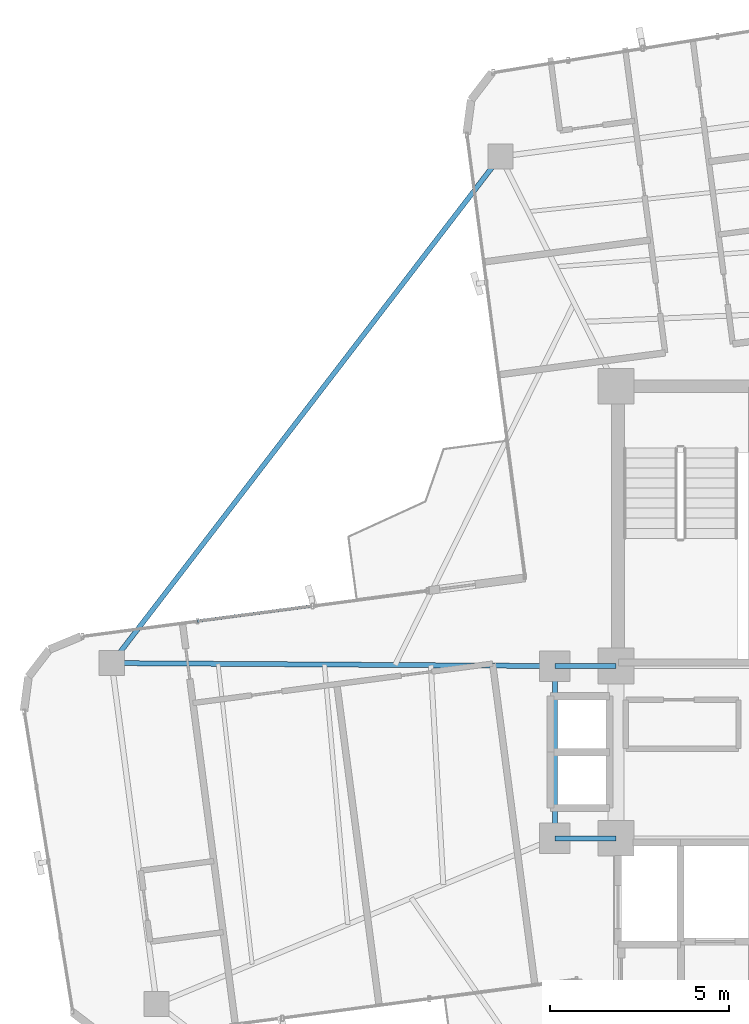
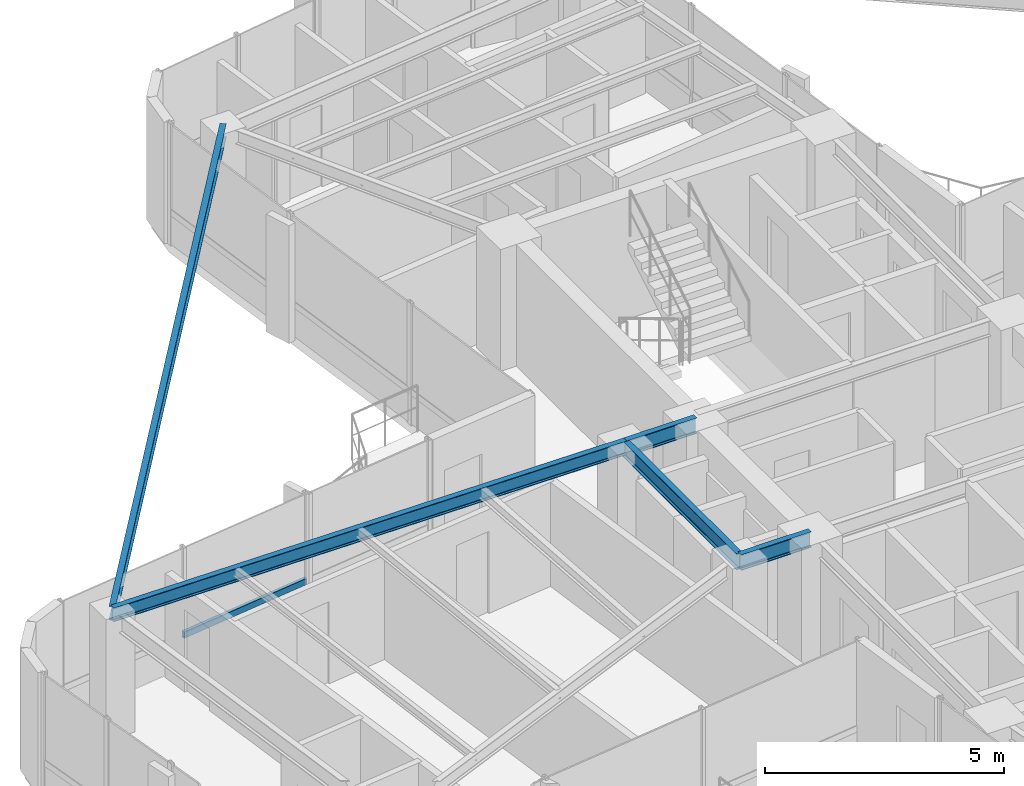
# One storey, part 7 of 22: 5 beams, 1 member, 1 element without a shape of its own.
"""IFC4 building model written with IfcOpenShell, lengths in metres."""

import ifcopenshell
import ifcopenshell.guid

model = None  # the IFC model being written
_history = None  # IfcOwnerHistory: only IFC2X3 demands one
_inside = {}  # id of a spatial element -> (the spatial element, [elements in it])
_under = {}  # id of a project, library or spatial element -> (it, [spatial elements below it])
_declared = {}  # id of a project -> (the project, [libraries it declares])
_typed = {}  # id of a type object -> (the type object, [elements of that type])
_made_of = {}  # id of a material, layer set ... -> (it, [elements and type objects made of it])


def new_model(schema):
    """Start an empty IFC model of exactly this schema.

    Asked for "IFC4X3", IfcOpenShell would pick the latest addendum, in which some entities
    have other attributes; the version numbers below select the first issue.
    IFC2X3 requires an IfcOwnerHistory on every rooted entity: one is made here for all.
    """
    global model, _history
    if schema == "IFC4X3":
        model = ifcopenshell.file(schema_version=(4, 3, 0, 0))
    else:
        model = ifcopenshell.file(schema=schema)
    _inside.clear()
    _under.clear()
    _declared.clear()
    _typed.clear()
    _made_of.clear()
    _history = None
    if model.schema == "IFC2X3":
        org = make("IfcOrganization", Name="unknown")
        user = make(
            "IfcPersonAndOrganization",
            ThePerson=make("IfcPerson", FamilyName="unknown"),
            TheOrganization=org,
        )
        app = make(
            "IfcApplication",
            ApplicationDeveloper=org,
            Version="unknown",
            ApplicationFullName="unknown",
            ApplicationIdentifier="unknown",
        )
        _history = make(
            "IfcOwnerHistory",
            OwningUser=user,
            OwningApplication=app,
            ChangeAction="ADDED",
            CreationDate=0,
        )
    return model


def make(cls, **values):
    """One entity of the class cls with the attributes given. An attribute that is None is left unset."""
    return model.create_entity(
        cls, **{name: value for name, value in values.items() if value is not None}
    )


def rooted(cls, **values):
    """An entity with a GlobalId (a new one), such as an element, a storey or a relation."""
    return make(cls, GlobalId=ifcopenshell.guid.new(), OwnerHistory=_history, **values)


def si_unit(unit_type, name, prefix=None):
    """IfcSIUnit, for example si_unit("LENGTHUNIT", "METRE", prefix="MILLI")."""
    return make("IfcSIUnit", UnitType=unit_type, Prefix=prefix, Name=name)


def assignment(units):
    """IfcUnitAssignment: the units of a project."""
    return None if units is None else make("IfcUnitAssignment", Units=units)


def point(xyz):
    """IfcCartesianPoint."""
    return None if xyz is None else make("IfcCartesianPoint", Coordinates=xyz)


def direction(xyz):
    """IfcDirection."""
    return None if xyz is None else make("IfcDirection", DirectionRatios=xyz)


def frame(location, z_axis=None, x_axis=None):
    """IfcAxis2Placement3D, a coordinate frame: its origin and axes. An axis left out is left unset."""
    return make(
        "IfcAxis2Placement3D",
        Location=point(location),
        Axis=direction(z_axis),
        RefDirection=direction(x_axis),
    )


def frame_2d(location, x_axis=None):
    """IfcAxis2Placement2D, a coordinate frame in the plane: its origin and x axis."""
    return make(
        "IfcAxis2Placement2D", Location=point(location), RefDirection=direction(x_axis)
    )


def origin():
    """The frame at (0, 0, 0) with its axes left unset."""
    return frame((0.0, 0.0, 0.0))


def origin_2d():
    """The frame at (0, 0) in the plane with its x axis left unset."""
    return frame_2d((0.0, 0.0))


def place(relative_to, where):
    """IfcLocalPlacement: puts the frame where relative to a parent placement (None: the world)."""
    return make(
        "IfcLocalPlacement", PlacementRelTo=relative_to, RelativePlacement=where
    )


def context(
    kind, dimensions, precision=None, world=None, true_north=None, identifier=None
):
    """IfcGeometricRepresentationContext, for example the 3D "Model" context."""
    return make(
        "IfcGeometricRepresentationContext",
        ContextIdentifier=identifier,
        ContextType=kind,
        CoordinateSpaceDimension=dimensions,
        Precision=precision,
        WorldCoordinateSystem=world,
        TrueNorth=true_north,
    )


def subcontext(parent, identifier, kind, view, scale=None):
    """IfcGeometricRepresentationSubContext, for example "Body" below "Model"."""
    return make(
        "IfcGeometricRepresentationSubContext",
        ContextIdentifier=identifier,
        ContextType=kind,
        ParentContext=parent,
        TargetScale=scale,
        TargetView=view,
    )


def project(units=None, contexts=None):
    """IfcProject with its units and contexts."""
    return rooted(
        "IfcProject",
        Name="project",
        RepresentationContexts=contexts,
        UnitsInContext=assignment(units),
    )


def spatial(cls, under=None, at=None, **own):
    """A site, building, storey or space (cls), placed at a placement, below another one or the project."""
    s = rooted(cls, ObjectPlacement=at, **own)
    if under is not None:
        _under.setdefault(under.id(), (under, []))[1].append(s)
    return s


def profile(cls, at=None, kind="AREA", **sizes):
    """A parametric profile (cls). Its sizes go by their IFC names, for example OverallWidth=200.0."""
    return make(cls, ProfileType=kind, Position=at, **sizes)


def hollow_rectangle(**sizes):
    """IfcRectangleHollowProfileDef."""
    return profile("IfcRectangleHollowProfileDef", **sizes)


def i_section(**sizes):
    """IfcIShapeProfileDef."""
    return profile("IfcIShapeProfileDef", **sizes)


def extrude(swept, where, along, depth):
    """IfcExtrudedAreaSolid: the profile swept, set in the frame where, extruded along a direction by depth."""
    return make(
        "IfcExtrudedAreaSolid",
        SweptArea=swept,
        Position=where,
        ExtrudedDirection=direction(along),
        Depth=depth,
    )


def shape(context_of_items, identifier, shape_type, items):
    """IfcShapeRepresentation: the items that make up one representation, for example the "Body"."""
    return make(
        "IfcShapeRepresentation",
        ContextOfItems=context_of_items,
        RepresentationIdentifier=identifier,
        RepresentationType=shape_type,
        Items=items,
    )


def source(mapping_origin, context_of_items, identifier, shape_type, items):
    """IfcRepresentationMap: a shape defined once, which mapped items show again and again."""
    return make(
        "IfcRepresentationMap",
        MappingOrigin=mapping_origin,
        MappedRepresentation=shape(context_of_items, identifier, shape_type, items),
    )


def transform(
    local_origin,
    x_axis=None,
    y_axis=None,
    z_axis=None,
    scale=None,
    scale2=None,
    scale3=None,
    uniform=True,
):
    """IfcCartesianTransformationOperator3D, or its non-uniform kind. x_axis, y_axis, z_axis: its Axis1, 2, 3."""
    if uniform:
        return make(
            "IfcCartesianTransformationOperator3D",
            Axis1=direction(x_axis),
            Axis2=direction(y_axis),
            LocalOrigin=point(local_origin),
            Scale=scale,
            Axis3=direction(z_axis),
        )
    return make(
        "IfcCartesianTransformationOperator3DnonUniform",
        Axis1=direction(x_axis),
        Axis2=direction(y_axis),
        LocalOrigin=point(local_origin),
        Scale=scale,
        Axis3=direction(z_axis),
        Scale2=scale2,
        Scale3=scale3,
    )


def mapped(mapping_source, mapping_target):
    """IfcMappedItem: shows the shape of a source again, moved by a transform."""
    return make(
        "IfcMappedItem", MappingSource=mapping_source, MappingTarget=mapping_target
    )


def material(Name=None, Category=None):
    """IfcMaterial."""
    return make("IfcMaterial", Name=Name, Category=Category)


def material_profile(
    of_material, cross_section, Name=None, Category=None, Priority=None
):
    """IfcMaterialProfile: a cross section and its material."""
    return make(
        "IfcMaterialProfile",
        Name=Name,
        Material=of_material,
        Profile=cross_section,
        Priority=Priority,
        Category=Category,
    )


def profile_set(profiles, Name=None, composite=None):
    """IfcMaterialProfileSet."""
    return make(
        "IfcMaterialProfileSet",
        Name=Name,
        MaterialProfiles=profiles,
        CompositeProfile=composite,
    )


def made_of(thing, what):
    """Note that an element or type object is made of a material, layer set ...; save() writes the relation."""
    if what is not None:
        _made_of.setdefault(what.id(), (what, []))[1].append(thing)
    return thing


def type_object(cls, material=None, **own):
    """A type object (cls), such as IfcWallType, which elements share."""
    return made_of(rooted(cls, **own), material)


def element(
    cls,
    number,
    at=None,
    inside=None,
    cuts=None,
    type_object=None,
    material=None,
    context=None,
    identifier="Body",
    shape_type=None,
    held_by="IfcProductDefinitionShape",
    body=None,
    shapes=None,
    **own,
):
    """One element of the class cls, such as IfcWall. Its Tag is "e" and its number.

    at: its placement. inside: the storey or other place that contains it. cuts: it is an
    opening in that element (IfcRelVoidsElement). A single representation is given by context,
    identifier, shape_type and body (its items); several are given by shapes. held_by: the class
    of the entity that holds the representations. save() writes the other relations.
    """
    e = rooted(cls, Tag="e%d" % number, ObjectPlacement=at, **own)
    if body is not None:
        shapes = [shape(context, identifier, shape_type, body)]
    if shapes is not None:
        e.Representation = make(held_by, Representations=shapes)
    if inside is not None:
        _inside.setdefault(inside.id(), (inside, []))[1].append(e)
    if cuts is not None:
        rooted(
            "IfcRelVoidsElement", RelatingBuildingElement=cuts, RelatedOpeningElement=e
        )
    if type_object is not None:
        _typed.setdefault(type_object.id(), (type_object, []))[1].append(e)
    return made_of(e, material)


def aggregate(whole, parts):
    """IfcRelAggregates: a whole, such as a stair, and the parts it consists of."""
    return rooted("IfcRelAggregates", RelatingObject=whole, RelatedObjects=parts)


def save(model, path):
    """Write the relations noted so far, then the file.

    IfcRelAggregates (storeys below a building ...), IfcRelContainedInSpatialStructure (elements
    in a storey), IfcRelDefinesByType, IfcRelAssociatesMaterial and IfcRelDeclares: one each for
    every whole, place, type object, material and project.
    """
    for whole, parts in _under.values():
        aggregate(whole, parts)
    for where, things in _inside.values():
        rooted(
            "IfcRelContainedInSpatialStructure",
            RelatedElements=things,
            RelatingStructure=where,
        )
    for kind, things in _typed.values():
        rooted("IfcRelDefinesByType", RelatedObjects=things, RelatingType=kind)
    for what, things in _made_of.values():
        rooted("IfcRelAssociatesMaterial", RelatedObjects=things, RelatingMaterial=what)
    for by, libraries in _declared.values():
        rooted("IfcRelDeclares", RelatingContext=by, RelatedDefinitions=libraries)
    model.write(path)


model = new_model("IFC4")

# Units and contexts
model_context = context("Model", 3, precision=1e-05, world=origin(), true_north=direction((0.0, 1.0)))
body_context = subcontext(model_context, "Body", "Model", "MODEL_VIEW")
ifc_project = project(units=[si_unit("LENGTHUNIT", "METRE"), si_unit("AREAUNIT", "SQUARE_METRE"), si_unit("VOLUMEUNIT", "CUBIC_METRE"), si_unit("PLANEANGLEUNIT", "RADIAN"), si_unit("MASSUNIT", "GRAM", prefix="KILO")], contexts=[model_context])

# Site, building, storey
site_placement = place(None, origin())
site = spatial("IfcSite", under=ifc_project, at=site_placement, CompositionType="ELEMENT")
building_placement = place(site_placement, origin())
building = spatial("IfcBuilding", under=site, at=building_placement, Name="Sahyath Konkavel Grand Hotel", CompositionType="ELEMENT")
storey_placement = place(building_placement, frame((0.0, 0.0, 223.25)))
storey = spatial("IfcBuildingStorey", under=building, at=storey_placement, Name="L62", CompositionType="ELEMENT", Elevation=223.25)

# Beams
ifc_material_1 = material(Name="Steel E350", Category="steel")
ifc_material_profile_1 = material_profile(ifc_material_1, i_section(OverallWidth=0.139892578125, OverallDepth=0.39990234375, WebThickness=0.0087890625, FlangeThickness=0.01611328125, FilletRadius=0.013916015625, at=origin_2d()), Name="ISMB 400")
ifc_profile_set_1 = profile_set([ifc_material_profile_1], Name="Steel E350")
beam_type_1 = type_object("IfcBeamType", Name="BM-ISMB400", PredefinedType="BEAM", material=ifc_profile_set_1)
shared_shape_1 = source(origin(), body_context, "Body", "SweptSolid", [
    extrude(i_section(OverallWidth=0.139892578125, OverallDepth=0.39990234375, WebThickness=0.0087890625, FlangeThickness=0.01611328125, FilletRadius=0.013916015625, at=origin_2d()), origin(), (0.0, 0.0, 1.0), 1.699951171875),
])
for number, where, z_axis, x_axis, name in (
    (1, (-5.5, 2.39990234375, 2.909912109375), (1.0, 0.0, 0.0), (0.0, 1.0, 0.0), "str:bm:L62:HB-NW"),
    (2, (-5.5, -2.39990234375, 2.909912109375), (1.0, 0.0, 0.0), (0.0, 1.0, 0.0), "str:bm:L62:HB-SW"),
):
    element("IfcBeam", number, at=place(storey_placement, frame(where, z_axis=z_axis, x_axis=x_axis)), inside=storey, type_object=beam_type_1, Name=name, PredefinedType="BEAM", context=body_context, shape_type="MappedRepresentation", body=[
        mapped(shared_shape_1, transform((0.0, 0.0, 0.0), scale=1.0)),
    ])
shared_shape_2 = source(origin(), body_context, "Body", "SweptSolid", [
    extrude(i_section(OverallWidth=0.139892578125, OverallDepth=0.39990234375, WebThickness=0.0087890625, FlangeThickness=0.01611328125, FilletRadius=0.013916015625, at=origin_2d()), origin(), (0.0, 0.0, 1.0), 4.7998046875),
])
beam_1_placement = place(storey_placement, frame((-5.5, -2.39990234375, 2.909912109375), z_axis=(0.0, 1.0, 0.0), x_axis=(-1.0, 0.0, 0.0)))
element("IfcBeam", 3, at=beam_1_placement, inside=storey, type_object=beam_type_1, Name="str:bm:L62:HB-W", PredefinedType="BEAM", context=body_context, shape_type="MappedRepresentation", body=[
    mapped(shared_shape_2, transform((0.0, 0.0, 0.0), scale=1.0)),
])
ifc_material_profile_2 = material_profile(ifc_material_1, i_section(OverallWidth=0.139892578125, OverallDepth=0.35009765625, WebThickness=0.008056640625, FlangeThickness=0.01416015625, FilletRadius=0.013916015625, at=origin_2d()), Name="ISMB 350")
ifc_profile_set_2 = profile_set([ifc_material_profile_2], Name="Steel E350")
beam_type_2 = type_object("IfcBeamType", Name="BM-ISMB350", PredefinedType="BEAM", material=ifc_profile_set_2)
shared_shape_3 = source(origin(), body_context, "Body", "SweptSolid", [
    extrude(i_section(OverallWidth=0.139892578125, OverallDepth=0.35009765625, WebThickness=0.008056640625, FlangeThickness=0.01416015625, FilletRadius=0.013916015625, at=origin_2d()), origin(), (0.0, 0.0, 1.0), 12.35009765625),
])
beam_2_placement = place(storey_placement, frame((-5.5, 2.39990234375, 2.93505859375), z_axis=(-0.999977145916, 0.006760742985, 0.0), x_axis=(-0.006760742985, -0.999977145916, 0.0)))
element("IfcBeam", 4, at=beam_2_placement, inside=storey, type_object=beam_type_2, Name="L62 Cruciform Radial Girder WA", PredefinedType="BEAM", context=body_context, shape_type="MappedRepresentation", body=[
    mapped(shared_shape_3, transform((0.0, 0.0, 0.0), scale=1.0)),
])
shared_shape_4 = source(origin(), body_context, "Body", "SweptSolid", [
    extrude(i_section(OverallWidth=0.139892578125, OverallDepth=0.35009765625, WebThickness=0.008056640625, FlangeThickness=0.01416015625, FilletRadius=0.013916015625, at=origin_2d()), origin(), (0.0, 0.0, 1.0), 17.792236328125),
])
beam_3_placement = place(storey_placement, frame((-7.0185546875, 16.598876953125, 2.93505859375), z_axis=(-0.608765363283, -0.793350321401, 0.0), x_axis=(0.793350321401, -0.608765363283, 0.0)))
element("IfcBeam", 5, at=beam_3_placement, inside=storey, type_object=beam_type_2, Name="L62 Re-Entrant Tie Beam NW", PredefinedType="BEAM", context=body_context, shape_type="MappedRepresentation", body=[
    mapped(shared_shape_4, transform((0.0, 0.0, 0.0), scale=1.0)),
])

# Curtain wall, member
ifc_material_2 = material(Name="Anodised Bronze Aluminium & Low-E Glazing", Category="aluminium")
curtain_wall_type = type_object("IfcCurtainWallType", Name="CW-ZONE4", PredefinedType="NOTDEFINED", material=ifc_material_2)
curtain_wall_placement = place(storey_placement, origin())
curtain_wall = element("IfcCurtainWall", 6, at=curtain_wall_placement, inside=storey, type_object=curtain_wall_type, Name="L62 Unitised Curtain Wall F16", PredefinedType="NOTDEFINED")
ifc_material_3 = material(Name="Anodised Bronze Aluminium", Category="aluminium")
ifc_material_profile_3 = material_profile(ifc_material_3, hollow_rectangle(XDim=0.080078125, YDim=0.159912109375, WallThickness=0.006103515625, at=origin_2d()), Name="RHS 160x80x6")
ifc_profile_set_3 = profile_set([ifc_material_profile_3], Name="Anodised Bronze Aluminium")
member_type = type_object("IfcMemberType", Name="CW-TRN-160", PredefinedType="USERDEFINED", material=ifc_profile_set_3)
shared_shape_5 = source(origin(), body_context, "Body", "SweptSolid", [
    extrude(hollow_rectangle(XDim=0.080078125, YDim=0.159912109375, WallThickness=0.006103515625, at=origin_2d()), origin(), (0.0, 0.0, 1.0), 3.233642578125),
])
member_placement = place(storey_placement, frame((-12.252685546875, 4.07763671875, 0.85009765625), z_axis=(-0.991443499338, -0.130536537493, 0.0), x_axis=(0.130536537493, -0.991443499338, 0.0)))
member = element("IfcMember", 7, at=member_placement, type_object=member_type, Name="L62 Curtain Wall Transom F16-1-spandrel", ObjectType="TRANSOM", PredefinedType="USERDEFINED", context=body_context, shape_type="MappedRepresentation", body=[
    mapped(shared_shape_5, transform((0.0, 0.0, 0.0), scale=1.0)),
])
aggregate(curtain_wall, [member])

save(model, "model.ifc")
